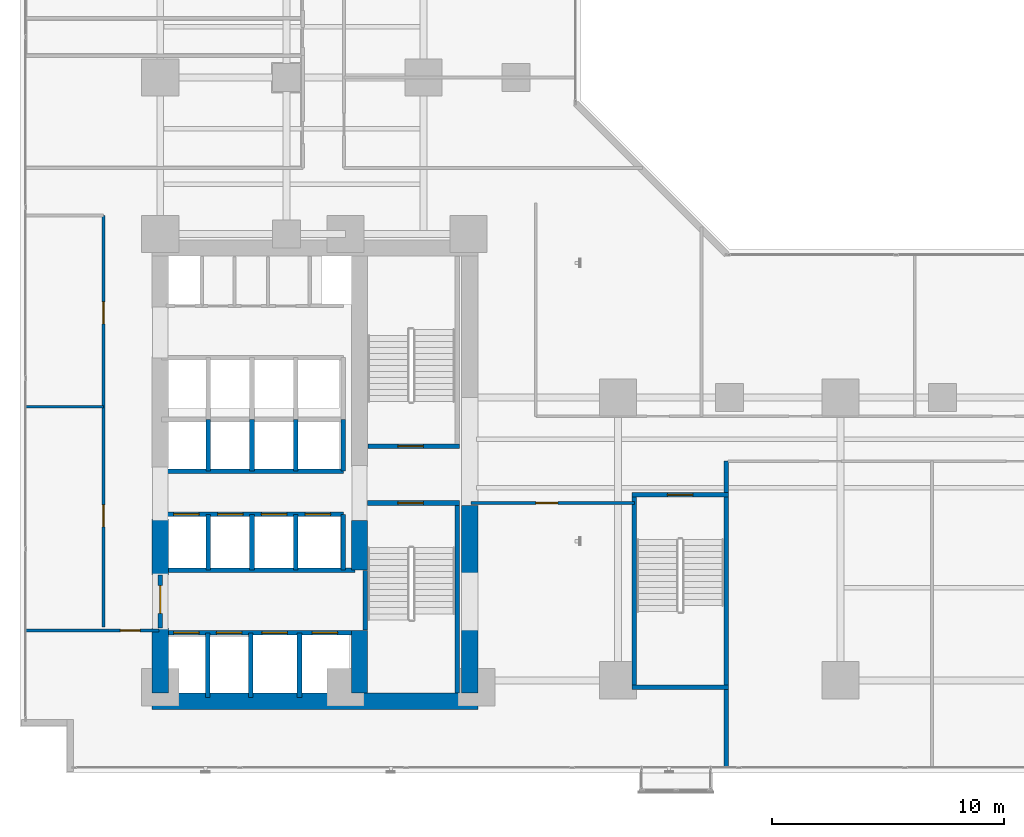
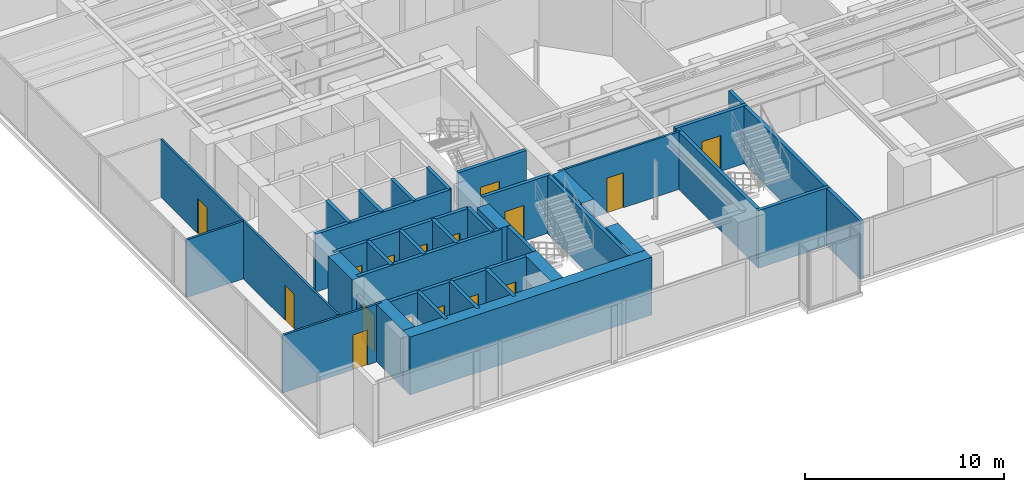
# One storey, part 22 of 26: 35 walls, 16 doors, 16 openings.
"""IFC4 building model written with IfcOpenShell, lengths in metres."""

from ifc_helpers import new_model, si_unit, direction, frame, frame_2d, origin, place, context, subcontext, project, spatial, rectangle, extrude, material, layer, layer_set, type_object, element, fill, save


model = new_model("IFC4")

# Units and contexts
model_context = context("Model", 3, precision=1e-05, world=origin(), true_north=direction((0.0, 1.0)))
body_context = subcontext(model_context, "Body", "Model", "MODEL_VIEW")
ifc_project = project(units=[si_unit("LENGTHUNIT", "METRE"), si_unit("AREAUNIT", "SQUARE_METRE"), si_unit("VOLUMEUNIT", "CUBIC_METRE"), si_unit("PLANEANGLEUNIT", "RADIAN"), si_unit("MASSUNIT", "GRAM", prefix="KILO")], contexts=[model_context])

# Site, building, storey
site_placement = place(None, origin())
site = spatial("IfcSite", under=ifc_project, at=site_placement, CompositionType="ELEMENT")
building_placement = place(site_placement, origin())
building = spatial("IfcBuilding", under=site, at=building_placement, Name="Kolvaren Waterfront Exchange", CompositionType="ELEMENT")
storey_placement = place(building_placement, frame((0.0, 0.0, 48.60009765625)))
storey = spatial("IfcBuildingStorey", under=building, at=storey_placement, Name="L12", CompositionType="ELEMENT", Elevation=48.60009765625)

# Wall, opening, door
ifc_material_1 = material(Name="Precast concrete C40/50", Category="concrete")
ifc_layer_1 = layer(ifc_material_1, 0.199951171875, Name="Precast concrete C40/50")
ifc_layer_set_1 = layer_set([ifc_layer_1], Name="Precast concrete C40/50")
wall_type_1 = type_object("IfcWallType", Name="ARC-FIRE-200", PredefinedType="PARTITIONING", material=ifc_layer_set_1)
wall_1_placement = place(storey_placement, frame((16.39990234375, 12.85009765625, 0.0), z_axis=(0.0, 0.0, 1.0), x_axis=(1.0, 0.0, 0.0)))
wall_1 = element("IfcWall", 1, at=wall_1_placement, inside=storey, type_object=wall_type_1, Name="L12 interior wall PW-L12-ST1-THROAT-S", PredefinedType="PARTITIONING", context=body_context, shape_type="SweptSolid", body=[
    extrude(rectangle(XDim=3.960205078125, YDim=0.199951171875, at=frame_2d((1.97998046875, 0.0))), origin(), (0.0, 0.0, 1.0), 3.539794921875),
])
opening_1_placement = place(wall_1_placement, frame((1.3037109375, 0.0, 0.0)))
opening_1 = element("IfcOpeningElement", 2, at=opening_1_placement, cuts=wall_1, Name="Opening FD2", PredefinedType="OPENING", context=body_context, shape_type="SweptSolid", body=[
    extrude(rectangle(XDim=1.10009765625, YDim=2.199951171875, at=frame_2d((0.550048828125, 1.10009765625))), frame((0.0, 0.10986328125, 0.0), z_axis=(0.0, -1.0, 0.0), x_axis=(1.0, 0.0, 0.0)), (0.0, 0.0, 1.0), 0.219970703125),
])
ifc_material_2 = material(Name="Pressed steel smoke-seal fire door", Category="steel")
door_type_1 = type_object("IfcDoorType", Name="ARC-FD-1100", OperationType="NOTDEFINED", PredefinedType="DOOR", material=ifc_material_2)
door_1_placement = place(opening_1_placement, frame((1.10009765625, 0.0, 0.0), z_axis=(0.0, 0.0, 1.0), x_axis=(-1.0, 0.0, 0.0)))
door_1 = element("IfcDoor", 3, at=door_1_placement, inside=storey, type_object=door_type_1, Name="L12 door DR-L12-ST1-IN (FD2)", OperationType="SINGLE_SWING_RIGHT", OverallHeight=2.199951171875, OverallWidth=1.10009765625, PredefinedType="DOOR", context=body_context, shape_type="SweptSolid", body=[
    extrude(rectangle(XDim=1.10009765625, YDim=2.199951171875, at=frame_2d((0.550048828125, 1.10009765625))), frame((0.0, 0.02490234375, 0.0), z_axis=(0.0, -1.0, 0.0), x_axis=(1.0, 0.0, 0.0)), (0.0, 0.0, 1.0), 0.050048828125),
])
fill(opening_1, door_1)

wall_2_placement = place(storey_placement, frame((16.409912109375, 15.300048828125, 0.0), z_axis=(0.0, 0.0, 1.0), x_axis=(1.0, 0.0, 0.0)))
wall_2 = element("IfcWall", 4, at=wall_2_placement, inside=storey, type_object=wall_type_1, Name="L12 interior wall PW-L12-ST2-THROAT-N", PredefinedType="PARTITIONING", context=body_context, shape_type="SweptSolid", body=[
    extrude(rectangle(XDim=3.9501953125, YDim=0.199951171875, at=frame_2d((1.97509765625, 0.0))), origin(), (0.0, 0.0, 1.0), 3.539794921875),
])
opening_2_placement = place(wall_2_placement, frame((1.293701171875, 0.0, 0.0)))
opening_2 = element("IfcOpeningElement", 5, at=opening_2_placement, cuts=wall_2, Name="Opening FD2", PredefinedType="OPENING", context=body_context, shape_type="SweptSolid", body=[
    extrude(rectangle(XDim=1.10009765625, YDim=2.199951171875, at=frame_2d((0.550048828125, 1.10009765625))), frame((0.0, 0.10986328125, 0.0), z_axis=(0.0, -1.0, 0.0), x_axis=(1.0, 0.0, 0.0)), (0.0, 0.0, 1.0), 0.219970703125),
])
door_2_placement = place(opening_2_placement, origin())
door_2 = element("IfcDoor", 6, at=door_2_placement, inside=storey, type_object=door_type_1, Name="L12 door DR-L12-ST2-IN (FD2)", OperationType="SINGLE_SWING_LEFT", OverallHeight=2.199951171875, OverallWidth=1.10009765625, PredefinedType="DOOR", context=body_context, shape_type="SweptSolid", body=[
    extrude(rectangle(XDim=1.10009765625, YDim=2.199951171875, at=frame_2d((0.550048828125, 1.10009765625))), frame((0.0, 0.02490234375, 0.0), z_axis=(0.0, -1.0, 0.0), x_axis=(1.0, 0.0, 0.0)), (0.0, 0.0, 1.0), 0.050048828125),
])
fill(opening_2, door_2)

# Wall
wall_3_placement = place(storey_placement, frame((7.5, 9.949951171875, 0.0), z_axis=(0.0, 0.0, 1.0), x_axis=(1.0, 0.0, 0.0)))
element("IfcWall", 7, at=wall_3_placement, inside=storey, type_object=wall_type_1, Name="L12 interior wall PW-L12-FF-N", PredefinedType="PARTITIONING", context=body_context, shape_type="SweptSolid", body=[
    extrude(rectangle(XDim=8.35009765625, YDim=0.199951171875, at=frame_2d((4.175048828125, 0.0))), origin(), (0.0, 0.0, 1.0), 3.539794921875),
])

# Wall, opening, door
wall_4_placement = place(storey_placement, frame((7.449951171875, 7.449951171875, 0.0), z_axis=(0.0, 0.0, 1.0), x_axis=(0.0, 1.0, 0.0)))
wall_4 = element("IfcWall", 8, at=wall_4_placement, inside=storey, type_object=wall_type_1, Name="L12 interior wall PW-L12-FF-W-DOOR", PredefinedType="PARTITIONING", context=body_context, shape_type="SweptSolid", body=[
    extrude(rectangle(XDim=2.300048828125, YDim=0.199951171875, at=frame_2d((1.14990234375, 0.0))), origin(), (0.0, 0.0, 1.0), 2.52001953125),
])
opening_3_placement = place(wall_4_placement, frame((0.63330078125, 0.0, 0.0)))
opening_3 = element("IfcOpeningElement", 9, at=opening_3_placement, cuts=wall_4, Name="Opening FD3", PredefinedType="OPENING", context=body_context, shape_type="SweptSolid", body=[
    extrude(rectangle(XDim=1.199951171875, YDim=2.25, at=frame_2d((0.60009765625, 1.125))), frame((0.0, 0.10986328125, 0.0), z_axis=(0.0, -1.0, 0.0), x_axis=(1.0, 0.0, 0.0)), (0.0, 0.0, 1.0), 0.219970703125),
])
ifc_material_3 = material(Name="Pressed steel fire door", Category="steel")
door_type_2 = type_object("IfcDoorType", Name="ARC-FD-1200", OperationType="NOTDEFINED", PredefinedType="DOOR", material=ifc_material_3)
door_3_placement = place(opening_3_placement, frame((1.199951171875, 0.0, 0.0), z_axis=(0.0, 0.0, 1.0), x_axis=(-1.0, 0.0, 0.0)))
door_3 = element("IfcDoor", 10, at=door_3_placement, inside=storey, type_object=door_type_2, Name="L12 door DR-L12-FF-OUT (FD3)", OperationType="SINGLE_SWING_LEFT", OverallHeight=2.25, OverallWidth=1.199951171875, PredefinedType="DOOR", context=body_context, shape_type="SweptSolid", body=[
    extrude(rectangle(XDim=1.199951171875, YDim=2.25, at=frame_2d((0.60009765625, 1.125))), frame((0.0, 0.02490234375, 0.0), z_axis=(0.0, -1.0, 0.0), x_axis=(1.0, 0.0, 0.0)), (0.0, 0.0, 1.0), 0.050048828125),
])
fill(opening_3, door_3)

ifc_material_4 = material(Name="Acoustic gypsum steel stud", Category="steel")
ifc_layer_2 = layer(ifc_material_4, 0.125, Name="Acoustic gypsum steel stud")
ifc_layer_set_2 = layer_set([ifc_layer_2], Name="Acoustic gypsum steel stud")
wall_type_2 = type_object("IfcWallType", Name="ARC-PART-125", PredefinedType="PARTITIONING", material=ifc_layer_set_2)
wall_5_placement = place(storey_placement, frame((1.639892578125, 7.35009765625, 0.0), z_axis=(0.0, 0.0, 1.0), x_axis=(1.0, 0.0, 0.0)))
wall_5 = element("IfcWall", 11, at=wall_5_placement, inside=storey, type_object=wall_type_2, Name="L12 interior wall PW-L12-SWC-N", PredefinedType="PARTITIONING", context=body_context, shape_type="SweptSolid", body=[
    extrude(rectangle(XDim=5.760009765625, YDim=0.125, at=frame_2d((2.8798828125, 0.0))), origin(), (0.0, 0.0, 1.0), 3.539794921875),
])
opening_4_placement = place(wall_5_placement, frame((4.086669921875, 0.0, 0.0)))
opening_4 = element("IfcOpeningElement", 12, at=opening_4_placement, cuts=wall_5, Name="Opening D01", PredefinedType="OPENING", context=body_context, shape_type="SweptSolid", body=[
    extrude(rectangle(XDim=0.85009765625, YDim=2.14990234375, at=frame_2d((0.425048828125, 1.074951171875))), frame((0.0, 0.072509765625, 0.0), z_axis=(0.0, -1.0, 0.0), x_axis=(1.0, 0.0, 0.0)), (0.0, 0.0, 1.0), 0.14501953125),
])
ifc_material_5 = material(Name="Oak veneer timber leaf", Category="wood")
door_type_3 = type_object("IfcDoorType", Name="ARC-DR-900", OperationType="NOTDEFINED", PredefinedType="DOOR", material=ifc_material_5)
door_4_placement = place(opening_4_placement, origin())
door_4 = element("IfcDoor", 13, at=door_4_placement, inside=storey, type_object=door_type_3, Name="L12 door DR-L12-SWC-D (D01)", OperationType="SINGLE_SWING_RIGHT", OverallHeight=2.14990234375, OverallWidth=0.85009765625, PredefinedType="DOOR", context=body_context, shape_type="SweptSolid", body=[
    extrude(rectangle(XDim=0.85009765625, YDim=2.14990234375, at=frame_2d((0.425048828125, 1.074951171875))), frame((0.0, 0.02490234375, 0.0), z_axis=(0.0, -1.0, 0.0), x_axis=(1.0, 0.0, 0.0)), (0.0, 0.0, 1.0), 0.050048828125),
])
fill(opening_4, door_4)

# Wall, openings, doors
wall_6_placement = place(storey_placement, frame((5.0, 7.5, 0.0), z_axis=(0.0, 0.0, 1.0), x_axis=(0.0, 1.0, 0.0)))
wall_6 = element("IfcWall", 14, at=wall_6_placement, inside=storey, type_object=wall_type_2, Name="L12 interior wall PW-L12-WFLANK-E", PredefinedType="PARTITIONING", context=body_context, shape_type="SweptSolid", body=[
    extrude(rectangle(XDim=17.75, YDim=0.125, at=frame_2d((8.875, 0.0))), origin(), (0.0, 0.0, 1.0), 3.539794921875),
])
opening_5_placement = place(wall_6_placement, frame((4.320068359375, 0.0, 0.0)))
opening_5 = element("IfcOpeningElement", 15, at=opening_5_placement, cuts=wall_6, Name="Opening D02", PredefinedType="OPENING", context=body_context, shape_type="SweptSolid", body=[
    extrude(rectangle(XDim=0.949951171875, YDim=2.14990234375, at=frame_2d((0.47509765625, 1.074951171875))), frame((0.0, 0.072509765625, 0.0), z_axis=(0.0, -1.0, 0.0), x_axis=(1.0, 0.0, 0.0)), (0.0, 0.0, 1.0), 0.14501953125),
])
opening_6_placement = place(wall_6_placement, frame((13.078857421875, 0.0, 0.0)))
opening_6 = element("IfcOpeningElement", 16, at=opening_6_placement, cuts=wall_6, Name="Opening D02", PredefinedType="OPENING", context=body_context, shape_type="SweptSolid", body=[
    extrude(rectangle(XDim=0.949951171875, YDim=2.14990234375, at=frame_2d((0.47509765625, 1.074951171875))), frame((0.0, 0.072509765625, 0.0), z_axis=(0.0, -1.0, 0.0), x_axis=(1.0, 0.0, 0.0)), (0.0, 0.0, 1.0), 0.14501953125),
])
ifc_material_6 = material(Name="Oak veneer acoustic timber", Category="wood")
door_type_4 = type_object("IfcDoorType", Name="ARC-DR-950", OperationType="NOTDEFINED", PredefinedType="DOOR", material=ifc_material_6)
door_5_placement = place(opening_5_placement, origin())
door_5 = element("IfcDoor", 17, at=door_5_placement, inside=storey, type_object=door_type_4, Name="L12 door DR-L12-WFL1-D (D02)", OperationType="SINGLE_SWING_LEFT", OverallHeight=2.14990234375, OverallWidth=0.949951171875, PredefinedType="DOOR", context=body_context, shape_type="SweptSolid", body=[
    extrude(rectangle(XDim=0.949951171875, YDim=2.14990234375, at=frame_2d((0.47509765625, 1.074951171875))), frame((0.0, 0.02490234375, 0.0), z_axis=(0.0, -1.0, 0.0), x_axis=(1.0, 0.0, 0.0)), (0.0, 0.0, 1.0), 0.050048828125),
])
fill(opening_5, door_5)
door_6_placement = place(opening_6_placement, origin())
door_6 = element("IfcDoor", 18, at=door_6_placement, inside=storey, type_object=door_type_4, Name="L12 door DR-L12-WFL2-D (D02)", OperationType="SINGLE_SWING_RIGHT", OverallHeight=2.14990234375, OverallWidth=0.949951171875, PredefinedType="DOOR", context=body_context, shape_type="SweptSolid", body=[
    extrude(rectangle(XDim=0.949951171875, YDim=2.14990234375, at=frame_2d((0.47509765625, 1.074951171875))), frame((0.0, 0.02490234375, 0.0), z_axis=(0.0, -1.0, 0.0), x_axis=(1.0, 0.0, 0.0)), (0.0, 0.0, 1.0), 0.050048828125),
])
fill(opening_6, door_6)

# Wall
wall_7_placement = place(storey_placement, frame((1.639892578125, 17.0, 0.0), z_axis=(0.0, 0.0, 1.0), x_axis=(1.0, 0.0, 0.0)))
element("IfcWall", 19, at=wall_7_placement, inside=storey, type_object=wall_type_2, Name="L12 interior wall PW-L12-WFLANK-MID", PredefinedType="PARTITIONING", context=body_context, shape_type="SweptSolid", body=[
    extrude(rectangle(XDim=3.360107421875, YDim=0.125, at=frame_2d((1.68017578125, 0.0))), origin(), (0.0, 0.0, 1.0), 3.539794921875),
])

# Wall, opening, door
wall_8_placement = place(storey_placement, frame((20.85009765625, 12.85009765625, 0.0), z_axis=(0.0, 0.0, 1.0), x_axis=(1.0, 0.0, 0.0)))
wall_8 = element("IfcWall", 20, at=wall_8_placement, inside=storey, type_object=wall_type_2, Name="L12 interior wall PW-L12-SWST3-N", PredefinedType="PARTITIONING", context=body_context, shape_type="SweptSolid", body=[
    extrude(rectangle(XDim=7.0498046875, YDim=0.125, at=frame_2d((3.52490234375, 0.0))), origin(), (0.0, 0.0, 1.0), 3.539794921875),
])
opening_7_placement = place(wall_8_placement, frame((2.800048828125, 0.0, 0.0)))
opening_7 = element("IfcOpeningElement", 21, at=opening_7_placement, cuts=wall_8, Name="Opening D02", PredefinedType="OPENING", context=body_context, shape_type="SweptSolid", body=[
    extrude(rectangle(XDim=0.949951171875, YDim=2.14990234375, at=frame_2d((0.47509765625, 1.074951171875))), frame((0.0, 0.072509765625, 0.0), z_axis=(0.0, -1.0, 0.0), x_axis=(1.0, 0.0, 0.0)), (0.0, 0.0, 1.0), 0.14501953125),
])
door_7_placement = place(opening_7_placement, origin())
door_7 = element("IfcDoor", 22, at=door_7_placement, inside=storey, type_object=door_type_4, Name="L12 door DR-L12-SWST3-D (D02)", OperationType="SINGLE_SWING_LEFT", OverallHeight=2.14990234375, OverallWidth=0.949951171875, PredefinedType="DOOR", context=body_context, shape_type="SweptSolid", body=[
    extrude(rectangle(XDim=0.949951171875, YDim=2.14990234375, at=frame_2d((0.47509765625, 1.074951171875))), frame((0.0, 0.02490234375, 0.0), z_axis=(0.0, -1.0, 0.0), x_axis=(1.0, 0.0, 0.0)), (0.0, 0.0, 1.0), 0.050048828125),
])
fill(opening_7, door_7)

# Walls
ifc_material_7 = material(Name="Concrete C40/50", Category="concrete")
ifc_layer_3 = layer(ifc_material_7, 0.199951171875, Name="Concrete C40/50")
ifc_layer_set_3 = layer_set([ifc_layer_3], Name="Concrete C40/50")
wall_type_3 = type_object("IfcWallType", Name="ARC-SHAFT-200", PredefinedType="PARTITIONING", material=ifc_layer_set_3)
wall_9_placement = place(storey_placement, frame((16.300048828125, 7.360107421875, 0.0), z_axis=(0.0, 0.0, 1.0), x_axis=(0.0, 1.0, 0.0)))
element("IfcWall", 23, at=wall_9_placement, inside=storey, type_object=wall_type_3, Name="L12 structural stairwell wall PW-L12-ST1-W", PredefinedType="SHEAR", context=body_context, shape_type="SweptSolid", body=[
    extrude(rectangle(XDim=2.579833984375, YDim=0.199951171875, at=frame_2d((1.2900390625, 0.0))), origin(), (0.0, 0.0, 1.0), 3.539794921875),
])
wall_10_placement = place(storey_placement, frame((20.260009765625, 4.659912109375, 0.0), z_axis=(0.0, 0.0, 1.0), x_axis=(0.0, 1.0, 0.0)))
element("IfcWall", 24, at=wall_10_placement, inside=storey, type_object=wall_type_3, Name="L12 structural stairwell wall PW-L12-ST1-E", PredefinedType="SHEAR", context=body_context, shape_type="SweptSolid", body=[
    extrude(rectangle(XDim=8.090087890625, YDim=0.199951171875, at=frame_2d((4.044921875, 0.0))), origin(), (0.0, 0.0, 1.0), 3.539794921875),
])
wall_11_placement = place(storey_placement, frame((27.89990234375, 5.0, 0.0), z_axis=(0.0, 0.0, 1.0), x_axis=(0.0, 1.0, 0.0)))
element("IfcWall", 25, at=wall_11_placement, inside=storey, type_object=wall_type_3, Name="L12 structural stairwell wall PW-L12-ST3-W", PredefinedType="SHEAR", context=body_context, shape_type="SweptSolid", body=[
    extrude(rectangle(XDim=8.10009765625, YDim=0.199951171875, at=frame_2d((4.050048828125, 0.0))), origin(), (0.0, 0.0, 1.0), 3.539794921875),
])
wall_12_placement = place(storey_placement, frame((31.860107421875, 1.43994140625, 0.0), z_axis=(0.0, 0.0, 1.0), x_axis=(0.0, 1.0, 0.0)))
element("IfcWall", 26, at=wall_12_placement, inside=storey, type_object=wall_type_3, Name="L12 structural stairwell wall PW-L12-ST3-E", PredefinedType="SHEAR", context=body_context, shape_type="SweptSolid", body=[
    extrude(rectangle(XDim=13.2099609375, YDim=0.199951171875, at=frame_2d((6.60498046875, 0.0))), origin(), (0.0, 0.0, 1.0), 3.539794921875),
])
wall_13_placement = place(storey_placement, frame((27.800048828125, 4.89990234375, 0.0), z_axis=(0.0, 0.0, 1.0), x_axis=(1.0, 0.0, 0.0)))
element("IfcWall", 27, at=wall_13_placement, inside=storey, type_object=wall_type_3, Name="L12 structural stairwell wall PW-L12-ST3-S", PredefinedType="SHEAR", context=body_context, shape_type="SweptSolid", body=[
    extrude(rectangle(XDim=4.159912109375, YDim=0.199951171875, at=frame_2d((2.080078125, 0.0))), origin(), (0.0, 0.0, 1.0), 3.539794921875),
])

# Wall, opening, door
wall_14_placement = place(storey_placement, frame((27.800048828125, 13.199951171875, 0.0), z_axis=(0.0, 0.0, 1.0), x_axis=(1.0, 0.0, 0.0)))
wall_14 = element("IfcWall", 28, at=wall_14_placement, inside=storey, type_object=wall_type_3, Name="L12 structural stairwell wall PW-L12-ST3-N", PredefinedType="SHEAR", context=body_context, shape_type="SweptSolid", body=[
    extrude(rectangle(XDim=4.159912109375, YDim=0.199951171875, at=frame_2d((2.080078125, 0.0))), origin(), (0.0, 0.0, 1.0), 3.539794921875),
])
opening_8_placement = place(wall_14_placement, frame((1.530029296875, 0.0, 0.0)))
opening_8 = element("IfcOpeningElement", 29, at=opening_8_placement, cuts=wall_14, Name="Opening FD2", PredefinedType="OPENING", context=body_context, shape_type="SweptSolid", body=[
    extrude(rectangle(XDim=1.10009765625, YDim=2.199951171875, at=frame_2d((0.550048828125, 1.10009765625))), frame((0.0, 0.10986328125, 0.0), z_axis=(0.0, -1.0, 0.0), x_axis=(1.0, 0.0, 0.0)), (0.0, 0.0, 1.0), 0.219970703125),
])
door_8_placement = place(opening_8_placement, frame((1.10009765625, 0.0, 0.0), z_axis=(0.0, 0.0, 1.0), x_axis=(-1.0, 0.0, 0.0)))
door_8 = element("IfcDoor", 30, at=door_8_placement, inside=storey, type_object=door_type_1, Name="L12 door DR-L12-ST3-IN (FD2)", OperationType="SINGLE_SWING_RIGHT", OverallHeight=2.199951171875, OverallWidth=1.10009765625, PredefinedType="DOOR", context=body_context, shape_type="SweptSolid", body=[
    extrude(rectangle(XDim=1.10009765625, YDim=2.199951171875, at=frame_2d((0.550048828125, 1.10009765625))), frame((0.0, 0.02490234375, 0.0), z_axis=(0.0, -1.0, 0.0), x_axis=(1.0, 0.0, 0.0)), (0.0, 0.0, 1.0), 0.050048828125),
])
fill(opening_8, door_8)

# Wall, openings, doors
wall_15_placement = place(storey_placement, frame((7.5, 7.25, 0.0), z_axis=(0.0, 0.0, 1.0), x_axis=(1.0, 0.0, 0.0)))
wall_15 = element("IfcWall", 31, at=wall_15_placement, inside=storey, type_object=wall_type_3, Name="L12 interior wall PW-L12-FF-S", PredefinedType="PARTITIONING", context=body_context, shape_type="SweptSolid", body=[
    extrude(rectangle(XDim=8.35009765625, YDim=0.199951171875, at=frame_2d((4.175048828125, 0.0))), origin(), (0.0, 0.0, 1.0), 3.539794921875),
])
opening_9_placement = place(wall_15_placement, frame((0.530029296875, 0.0, 0.0)))
opening_9 = element("IfcOpeningElement", 32, at=opening_9_placement, cuts=wall_15, Name="Opening LD1", PredefinedType="OPENING", context=body_context, shape_type="SweptSolid", body=[
    extrude(rectangle(XDim=1.10009765625, YDim=2.199951171875, at=frame_2d((0.550048828125, 1.10009765625))), frame((0.0, 0.10986328125, 0.0), z_axis=(0.0, -1.0, 0.0), x_axis=(1.0, 0.0, 0.0)), (0.0, 0.0, 1.0), 0.219970703125),
])
opening_10_placement = place(wall_15_placement, frame((2.3701171875, 0.0, 0.0)))
opening_10 = element("IfcOpeningElement", 33, at=opening_10_placement, cuts=wall_15, Name="Opening LD1", PredefinedType="OPENING", context=body_context, shape_type="SweptSolid", body=[
    extrude(rectangle(XDim=1.10009765625, YDim=2.199951171875, at=frame_2d((0.550048828125, 1.10009765625))), frame((0.0, 0.10986328125, 0.0), z_axis=(0.0, -1.0, 0.0), x_axis=(1.0, 0.0, 0.0)), (0.0, 0.0, 1.0), 0.219970703125),
])
opening_11_placement = place(wall_15_placement, frame((4.330078125, 0.0, 0.0)))
opening_11 = element("IfcOpeningElement", 34, at=opening_11_placement, cuts=wall_15, Name="Opening LD1", PredefinedType="OPENING", context=body_context, shape_type="SweptSolid", body=[
    extrude(rectangle(XDim=1.10009765625, YDim=2.199951171875, at=frame_2d((0.550048828125, 1.10009765625))), frame((0.0, 0.10986328125, 0.0), z_axis=(0.0, -1.0, 0.0), x_axis=(1.0, 0.0, 0.0)), (0.0, 0.0, 1.0), 0.219970703125),
])
opening_12_placement = place(wall_15_placement, frame((6.5, 0.0, 0.0)))
opening_12 = element("IfcOpeningElement", 35, at=opening_12_placement, cuts=wall_15, Name="Opening LD1", PredefinedType="OPENING", context=body_context, shape_type="SweptSolid", body=[
    extrude(rectangle(XDim=1.10009765625, YDim=2.199951171875, at=frame_2d((0.550048828125, 1.10009765625))), frame((0.0, 0.10986328125, 0.0), z_axis=(0.0, -1.0, 0.0), x_axis=(1.0, 0.0, 0.0)), (0.0, 0.0, 1.0), 0.219970703125),
])
ifc_material_8 = material(Name="Stainless steel sliding landing door", Category="steel")
door_type_5 = type_object("IfcDoorType", Name="ARC-LD-FF", OperationType="SLIDING_TO_LEFT", PredefinedType="DOOR", material=ifc_material_8)
door_9_placement = place(opening_9_placement, origin())
door_9 = element("IfcDoor", 36, at=door_9_placement, inside=storey, type_object=door_type_5, Name="L12 door LD-L12-FFL1 (LD1)", OperationType="SLIDING_TO_LEFT", OverallHeight=2.199951171875, OverallWidth=1.10009765625, PredefinedType="DOOR", context=body_context, shape_type="SweptSolid", body=[
    extrude(rectangle(XDim=1.10009765625, YDim=2.199951171875, at=frame_2d((0.550048828125, 1.10009765625))), frame((0.0, 0.02490234375, 0.0), z_axis=(0.0, -1.0, 0.0), x_axis=(1.0, 0.0, 0.0)), (0.0, 0.0, 1.0), 0.050048828125),
])
fill(opening_9, door_9)
door_10_placement = place(opening_10_placement, origin())
door_10 = element("IfcDoor", 37, at=door_10_placement, inside=storey, type_object=door_type_5, Name="L12 door LD-L12-FFL2 (LD1)", OperationType="SLIDING_TO_LEFT", OverallHeight=2.199951171875, OverallWidth=1.10009765625, PredefinedType="DOOR", context=body_context, shape_type="SweptSolid", body=[
    extrude(rectangle(XDim=1.10009765625, YDim=2.199951171875, at=frame_2d((0.550048828125, 1.10009765625))), frame((0.0, 0.02490234375, 0.0), z_axis=(0.0, -1.0, 0.0), x_axis=(1.0, 0.0, 0.0)), (0.0, 0.0, 1.0), 0.050048828125),
])
fill(opening_10, door_10)
door_11_placement = place(opening_11_placement, origin())
door_11 = element("IfcDoor", 38, at=door_11_placement, inside=storey, type_object=door_type_5, Name="L12 door LD-L12-GL1 (LD1)", OperationType="SLIDING_TO_LEFT", OverallHeight=2.199951171875, OverallWidth=1.10009765625, PredefinedType="DOOR", context=body_context, shape_type="SweptSolid", body=[
    extrude(rectangle(XDim=1.10009765625, YDim=2.199951171875, at=frame_2d((0.550048828125, 1.10009765625))), frame((0.0, 0.02490234375, 0.0), z_axis=(0.0, -1.0, 0.0), x_axis=(1.0, 0.0, 0.0)), (0.0, 0.0, 1.0), 0.050048828125),
])
fill(opening_11, door_11)
door_12_placement = place(opening_12_placement, origin())
door_12 = element("IfcDoor", 39, at=door_12_placement, inside=storey, type_object=door_type_5, Name="L12 door LD-L12-GL2 (LD1)", OperationType="SLIDING_TO_LEFT", OverallHeight=2.199951171875, OverallWidth=1.10009765625, PredefinedType="DOOR", context=body_context, shape_type="SweptSolid", body=[
    extrude(rectangle(XDim=1.10009765625, YDim=2.199951171875, at=frame_2d((0.550048828125, 1.10009765625))), frame((0.0, 0.02490234375, 0.0), z_axis=(0.0, -1.0, 0.0), x_axis=(1.0, 0.0, 0.0)), (0.0, 0.0, 1.0), 0.050048828125),
])
fill(opening_12, door_12)

# Walls
for number, where, z_axis, x_axis, name in (
    (40, (9.5, 4.449951171875, 0.0), (0.0, 0.0, 1.0), (0.0, 1.0, 0.0), "L12 interior wall PW-L12-SH1-DIV-95"),
    (41, (11.360107421875, 4.449951171875, 0.0), (0.0, 0.0, 1.0), (0.0, 1.0, 0.0), "L12 interior wall PW-L12-SH1-DIV-113"),
    (42, (13.4599609375, 4.449951171875, 0.0), (0.0, 0.0, 1.0), (0.0, 1.0, 0.0), "L12 interior wall PW-L12-SH1-DIV-134"),
):
    element("IfcWall", number, at=place(storey_placement, frame(where, z_axis=z_axis, x_axis=x_axis)), inside=storey, type_object=wall_type_3, Name=name, PredefinedType="PARTITIONING", context=body_context, shape_type="SweptSolid", body=[
        extrude(rectangle(XDim=2.800048828125, YDim=0.199951171875, at=frame_2d((1.39990234375, 0.0))), origin(), (0.0, 0.0, 1.0), 3.539794921875),
    ])

# Wall, openings, doors
wall_16_placement = place(storey_placement, frame((7.5, 12.360107421875, 0.0), z_axis=(0.0, 0.0, 1.0), x_axis=(1.0, 0.0, 0.0)))
wall_16 = element("IfcWall", 43, at=wall_16_placement, inside=storey, type_object=wall_type_3, Name="L12 interior wall PW-L12-PL-N", PredefinedType="PARTITIONING", context=body_context, shape_type="SweptSolid", body=[
    extrude(rectangle(XDim=7.85009765625, YDim=0.199951171875, at=frame_2d((3.925048828125, 0.0))), origin(), (0.0, 0.0, 1.0), 3.539794921875),
])
opening_13_placement = place(wall_16_placement, frame((0.530029296875, 0.0, 0.0)))
opening_13 = element("IfcOpeningElement", 44, at=opening_13_placement, cuts=wall_16, Name="Opening LD2", PredefinedType="OPENING", context=body_context, shape_type="SweptSolid", body=[
    extrude(rectangle(XDim=1.10009765625, YDim=2.199951171875, at=frame_2d((0.550048828125, 1.10009765625))), frame((0.0, 0.10986328125, 0.0), z_axis=(0.0, -1.0, 0.0), x_axis=(1.0, 0.0, 0.0)), (0.0, 0.0, 1.0), 0.219970703125),
])
opening_14_placement = place(wall_16_placement, frame((2.419921875, 0.0, 0.0)))
opening_14 = element("IfcOpeningElement", 45, at=opening_14_placement, cuts=wall_16, Name="Opening LD2", PredefinedType="OPENING", context=body_context, shape_type="SweptSolid", body=[
    extrude(rectangle(XDim=1.10009765625, YDim=2.199951171875, at=frame_2d((0.550048828125, 1.10009765625))), frame((0.0, 0.10986328125, 0.0), z_axis=(0.0, -1.0, 0.0), x_axis=(1.0, 0.0, 0.0)), (0.0, 0.0, 1.0), 0.219970703125),
])
opening_15_placement = place(wall_16_placement, frame((4.31005859375, 0.0, 0.0)))
opening_15 = element("IfcOpeningElement", 46, at=opening_15_placement, cuts=wall_16, Name="Opening LD2", PredefinedType="OPENING", context=body_context, shape_type="SweptSolid", body=[
    extrude(rectangle(XDim=1.10009765625, YDim=2.199951171875, at=frame_2d((0.550048828125, 1.10009765625))), frame((0.0, 0.10986328125, 0.0), z_axis=(0.0, -1.0, 0.0), x_axis=(1.0, 0.0, 0.0)), (0.0, 0.0, 1.0), 0.219970703125),
])
opening_16_placement = place(wall_16_placement, frame((6.199951171875, 0.0, 0.0)))
opening_16 = element("IfcOpeningElement", 47, at=opening_16_placement, cuts=wall_16, Name="Opening LD2", PredefinedType="OPENING", context=body_context, shape_type="SweptSolid", body=[
    extrude(rectangle(XDim=1.10009765625, YDim=2.199951171875, at=frame_2d((0.550048828125, 1.10009765625))), frame((0.0, 0.10986328125, 0.0), z_axis=(0.0, -1.0, 0.0), x_axis=(1.0, 0.0, 0.0)), (0.0, 0.0, 1.0), 0.219970703125),
])
ifc_material_9 = material(Name="Brushed bronze sliding landing door", Category="aluminium")
door_type_6 = type_object("IfcDoorType", Name="ARC-LD-PAX", OperationType="SLIDING_TO_LEFT", PredefinedType="DOOR", material=ifc_material_9)
door_13_placement = place(opening_13_placement, origin())
door_13 = element("IfcDoor", 48, at=door_13_placement, inside=storey, type_object=door_type_6, Name="L12 door LD-L12-PL1 (LD2)", OperationType="SLIDING_TO_LEFT", OverallHeight=2.199951171875, OverallWidth=1.10009765625, PredefinedType="DOOR", context=body_context, shape_type="SweptSolid", body=[
    extrude(rectangle(XDim=1.10009765625, YDim=2.199951171875, at=frame_2d((0.550048828125, 1.10009765625))), frame((0.0, 0.02490234375, 0.0), z_axis=(0.0, -1.0, 0.0), x_axis=(1.0, 0.0, 0.0)), (0.0, 0.0, 1.0), 0.050048828125),
])
fill(opening_13, door_13)
door_14_placement = place(opening_14_placement, origin())
door_14 = element("IfcDoor", 49, at=door_14_placement, inside=storey, type_object=door_type_6, Name="L12 door LD-L12-PL2 (LD2)", OperationType="SLIDING_TO_LEFT", OverallHeight=2.199951171875, OverallWidth=1.10009765625, PredefinedType="DOOR", context=body_context, shape_type="SweptSolid", body=[
    extrude(rectangle(XDim=1.10009765625, YDim=2.199951171875, at=frame_2d((0.550048828125, 1.10009765625))), frame((0.0, 0.02490234375, 0.0), z_axis=(0.0, -1.0, 0.0), x_axis=(1.0, 0.0, 0.0)), (0.0, 0.0, 1.0), 0.050048828125),
])
fill(opening_14, door_14)
door_15_placement = place(opening_15_placement, origin())
door_15 = element("IfcDoor", 50, at=door_15_placement, inside=storey, type_object=door_type_6, Name="L12 door LD-L12-PL3 (LD2)", OperationType="SLIDING_TO_LEFT", OverallHeight=2.199951171875, OverallWidth=1.10009765625, PredefinedType="DOOR", context=body_context, shape_type="SweptSolid", body=[
    extrude(rectangle(XDim=1.10009765625, YDim=2.199951171875, at=frame_2d((0.550048828125, 1.10009765625))), frame((0.0, 0.02490234375, 0.0), z_axis=(0.0, -1.0, 0.0), x_axis=(1.0, 0.0, 0.0)), (0.0, 0.0, 1.0), 0.050048828125),
])
fill(opening_15, door_15)
door_16_placement = place(opening_16_placement, origin())
door_16 = element("IfcDoor", 51, at=door_16_placement, inside=storey, type_object=door_type_6, Name="L12 door LD-L12-PL4 (LD2)", OperationType="SLIDING_TO_LEFT", OverallHeight=2.199951171875, OverallWidth=1.10009765625, PredefinedType="DOOR", context=body_context, shape_type="SweptSolid", body=[
    extrude(rectangle(XDim=1.10009765625, YDim=2.199951171875, at=frame_2d((0.550048828125, 1.10009765625))), frame((0.0, 0.02490234375, 0.0), z_axis=(0.0, -1.0, 0.0), x_axis=(1.0, 0.0, 0.0)), (0.0, 0.0, 1.0), 0.050048828125),
])
fill(opening_16, door_16)

# Walls
for number, where, z_axis, x_axis, name in (
    (52, (15.35009765625, 9.949951171875, 0.0), (0.0, 0.0, 1.0), (0.0, 1.0, 0.0), "L12 interior wall PW-L12-PL-E"),
    (53, (9.52001953125, 9.949951171875, 0.0), (0.0, 0.0, 1.0), (0.0, 1.0, 0.0), "L12 interior wall PW-L12-SH2-DIV-95"),
    (54, (11.409912109375, 9.949951171875, 0.0), (0.0, 0.0, 1.0), (0.0, 1.0, 0.0), "L12 interior wall PW-L12-SH2-DIV-114"),
    (55, (13.300048828125, 9.949951171875, 0.0), (0.0, 0.0, 1.0), (0.0, 1.0, 0.0), "L12 interior wall PW-L12-SH2-DIV-133"),
):
    element("IfcWall", number, at=place(storey_placement, frame(where, z_axis=z_axis, x_axis=x_axis)), inside=storey, type_object=wall_type_3, Name=name, PredefinedType="PARTITIONING", context=body_context, shape_type="SweptSolid", body=[
        extrude(rectangle(XDim=2.41015625, YDim=0.199951171875, at=frame_2d((1.205078125, 0.0))), origin(), (0.0, 0.0, 1.0), 3.539794921875),
    ])
wall_17_placement = place(storey_placement, frame((7.5, 14.219970703125, 0.0), z_axis=(0.0, 0.0, 1.0), x_axis=(1.0, 0.0, 0.0)))
element("IfcWall", 56, at=wall_17_placement, inside=storey, type_object=wall_type_3, Name="L12 interior wall PW-L12-PM-S", PredefinedType="PARTITIONING", context=body_context, shape_type="SweptSolid", body=[
    extrude(rectangle(XDim=7.85009765625, YDim=0.199951171875, at=frame_2d((3.925048828125, 0.0))), origin(), (0.0, 0.0, 1.0), 3.539794921875),
])
for number, where, z_axis, x_axis, name in (
    (57, (15.35009765625, 14.219970703125, 0.0), (0.0, 0.0, 1.0), (0.0, 1.0, 0.0), "L12 interior wall PW-L12-PM-E"),
    (58, (9.52001953125, 14.219970703125, 0.0), (0.0, 0.0, 1.0), (0.0, 1.0, 0.0), "L12 interior wall PW-L12-SH3-DIV-95"),
    (59, (11.409912109375, 14.219970703125, 0.0), (0.0, 0.0, 1.0), (0.0, 1.0, 0.0), "L12 interior wall PW-L12-SH3-DIV-114"),
    (60, (13.300048828125, 14.219970703125, 0.0), (0.0, 0.0, 1.0), (0.0, 1.0, 0.0), "L12 interior wall PW-L12-SH3-DIV-133"),
):
    element("IfcWall", number, at=place(storey_placement, frame(where, z_axis=z_axis, x_axis=x_axis)), inside=storey, type_object=wall_type_3, Name=name, PredefinedType="PARTITIONING", context=body_context, shape_type="SweptSolid", body=[
        extrude(rectangle(XDim=2.22998046875, YDim=0.199951171875, at=frame_2d((1.114990234375, 0.0))), origin(), (0.0, 0.0, 1.0), 3.539794921875),
    ])
ifc_material_10 = material(Name="Concrete C70/85", Category="concrete")
ifc_layer_4 = layer(ifc_material_10, 0.699951171875, Name="Concrete C70/85")
ifc_layer_set_4 = layer_set([ifc_layer_4], Name="Concrete C70/85")
wall_type_4 = type_object("IfcWallType", Name="STR-CWALL-700", PredefinedType="SHEAR", material=ifc_layer_set_4)
wall_18_placement = place(storey_placement, frame((7.10009765625, 4.300048828125, 0.0), z_axis=(0.0, 0.0, 1.0), x_axis=(1.0, 0.0, 0.0)))
element("IfcWall", 61, at=wall_18_placement, inside=storey, type_object=wall_type_4, Name="L12 rear-core shear wall S", PredefinedType="SHEAR", context=body_context, shape_type="SweptSolid", body=[
    extrude(rectangle(XDim=14.0498046875, YDim=0.699951171875, at=frame_2d((7.02490234375, 0.0))), origin(), (0.0, 0.0, 1.0), 3.539794921875),
])
wall_19_placement = place(storey_placement, frame((7.449951171875, 4.64990234375, 0.0), z_axis=(0.0, 0.0, 1.0), x_axis=(0.0, 1.0, 0.0)))
element("IfcWall", 62, at=wall_19_placement, inside=storey, type_object=wall_type_4, Name="L12 rear-core shear wall W1", PredefinedType="SHEAR", context=body_context, shape_type="SweptSolid", body=[
    extrude(rectangle(XDim=2.800048828125, YDim=0.699951171875, at=frame_2d((1.39990234375, 0.0))), origin(), (0.0, 0.0, 1.0), 3.539794921875),
])
wall_20_placement = place(storey_placement, frame((7.449951171875, 9.75, 0.0), z_axis=(0.0, 0.0, 1.0), x_axis=(0.0, 1.0, 0.0)))
element("IfcWall", 63, at=wall_20_placement, inside=storey, type_object=wall_type_4, Name="L12 rear-core shear wall W2A", PredefinedType="SHEAR", context=body_context, shape_type="SweptSolid", body=[
    extrude(rectangle(XDim=2.39990234375, YDim=0.699951171875, at=frame_2d((1.199951171875, 0.0))), origin(), (0.0, 0.0, 1.0), 3.539794921875),
])
wall_21_placement = place(storey_placement, frame((20.800048828125, 4.64990234375, 0.0), z_axis=(0.0, 0.0, 1.0), x_axis=(0.0, 1.0, 0.0)))
element("IfcWall", 64, at=wall_21_placement, inside=storey, type_object=wall_type_4, Name="L12 rear-core shear wall E1", PredefinedType="SHEAR", context=body_context, shape_type="SweptSolid", body=[
    extrude(rectangle(XDim=2.75, YDim=0.699951171875, at=frame_2d((1.375, 0.0))), origin(), (0.0, 0.0, 1.0), 3.539794921875),
])
wall_22_placement = place(storey_placement, frame((20.800048828125, 9.800048828125, 0.0), z_axis=(0.0, 0.0, 1.0), x_axis=(0.0, 1.0, 0.0)))
element("IfcWall", 65, at=wall_22_placement, inside=storey, type_object=wall_type_4, Name="L12 rear-core shear wall E2", PredefinedType="SHEAR", context=body_context, shape_type="SweptSolid", body=[
    extrude(rectangle(XDim=2.949951171875, YDim=0.699951171875, at=frame_2d((1.47509765625, 0.0))), origin(), (0.0, 0.0, 1.0), 3.539794921875),
])
wall_23_placement = place(storey_placement, frame((16.050048828125, 4.64990234375, 0.0), z_axis=(0.0, 0.0, 1.0), x_axis=(0.0, 1.0, 0.0)))
element("IfcWall", 66, at=wall_23_placement, inside=storey, type_object=wall_type_4, Name="L12 rear-core shear wall M1", PredefinedType="SHEAR", context=body_context, shape_type="SweptSolid", body=[
    extrude(rectangle(XDim=2.7001953125, YDim=0.699951171875, at=frame_2d((1.35009765625, 0.0))), origin(), (0.0, 0.0, 1.0), 3.539794921875),
])
wall_24_placement = place(storey_placement, frame((16.050048828125, 9.949951171875, 0.0), z_axis=(0.0, 0.0, 1.0), x_axis=(0.0, 1.0, 0.0)))
element("IfcWall", 67, at=wall_24_placement, inside=storey, type_object=wall_type_4, Name="L12 rear-core shear wall M2", PredefinedType="SHEAR", context=body_context, shape_type="SweptSolid", body=[
    extrude(rectangle(XDim=2.150146484375, YDim=0.699951171875, at=frame_2d((1.0751953125, 0.0))), origin(), (0.0, 0.0, 1.0), 3.539794921875),
])

save(model, "model.ifc")
